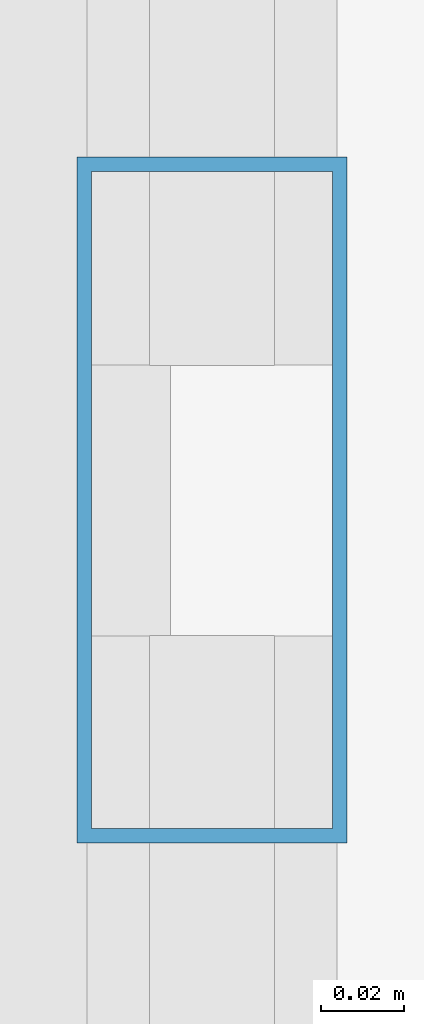
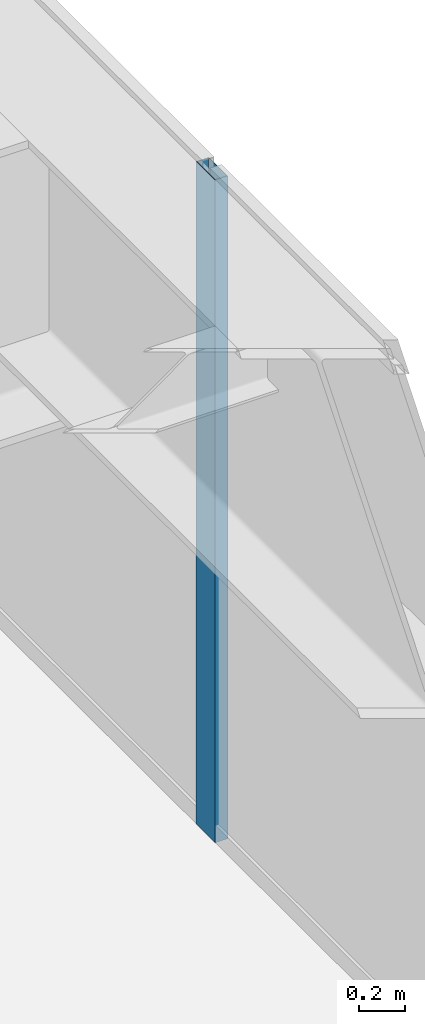
# One storey, part 17 of 26: 1 member, 1 element without a shape of its own.
"""IFC4 building model written with IfcOpenShell, lengths in metres."""

import ifcopenshell
import ifcopenshell.guid

model = None  # the IFC model being written
_history = None  # IfcOwnerHistory: only IFC2X3 demands one
_inside = {}  # id of a spatial element -> (the spatial element, [elements in it])
_under = {}  # id of a project, library or spatial element -> (it, [spatial elements below it])
_declared = {}  # id of a project -> (the project, [libraries it declares])
_typed = {}  # id of a type object -> (the type object, [elements of that type])
_made_of = {}  # id of a material, layer set ... -> (it, [elements and type objects made of it])


def new_model(schema):
    """Start an empty IFC model of exactly this schema.

    Asked for "IFC4X3", IfcOpenShell would pick the latest addendum, in which some entities
    have other attributes; the version numbers below select the first issue.
    IFC2X3 requires an IfcOwnerHistory on every rooted entity: one is made here for all.
    """
    global model, _history
    if schema == "IFC4X3":
        model = ifcopenshell.file(schema_version=(4, 3, 0, 0))
    else:
        model = ifcopenshell.file(schema=schema)
    _inside.clear()
    _under.clear()
    _declared.clear()
    _typed.clear()
    _made_of.clear()
    _history = None
    if model.schema == "IFC2X3":
        org = make("IfcOrganization", Name="unknown")
        user = make(
            "IfcPersonAndOrganization",
            ThePerson=make("IfcPerson", FamilyName="unknown"),
            TheOrganization=org,
        )
        app = make(
            "IfcApplication",
            ApplicationDeveloper=org,
            Version="unknown",
            ApplicationFullName="unknown",
            ApplicationIdentifier="unknown",
        )
        _history = make(
            "IfcOwnerHistory",
            OwningUser=user,
            OwningApplication=app,
            ChangeAction="ADDED",
            CreationDate=0,
        )
    return model


def make(cls, **values):
    """One entity of the class cls with the attributes given. An attribute that is None is left unset."""
    return model.create_entity(
        cls, **{name: value for name, value in values.items() if value is not None}
    )


def rooted(cls, **values):
    """An entity with a GlobalId (a new one), such as an element, a storey or a relation."""
    return make(cls, GlobalId=ifcopenshell.guid.new(), OwnerHistory=_history, **values)


def si_unit(unit_type, name, prefix=None):
    """IfcSIUnit, for example si_unit("LENGTHUNIT", "METRE", prefix="MILLI")."""
    return make("IfcSIUnit", UnitType=unit_type, Prefix=prefix, Name=name)


def assignment(units):
    """IfcUnitAssignment: the units of a project."""
    return None if units is None else make("IfcUnitAssignment", Units=units)


def point(xyz):
    """IfcCartesianPoint."""
    return None if xyz is None else make("IfcCartesianPoint", Coordinates=xyz)


def direction(xyz):
    """IfcDirection."""
    return None if xyz is None else make("IfcDirection", DirectionRatios=xyz)


def frame(location, z_axis=None, x_axis=None):
    """IfcAxis2Placement3D, a coordinate frame: its origin and axes. An axis left out is left unset."""
    return make(
        "IfcAxis2Placement3D",
        Location=point(location),
        Axis=direction(z_axis),
        RefDirection=direction(x_axis),
    )


def frame_2d(location, x_axis=None):
    """IfcAxis2Placement2D, a coordinate frame in the plane: its origin and x axis."""
    return make(
        "IfcAxis2Placement2D", Location=point(location), RefDirection=direction(x_axis)
    )


def origin():
    """The frame at (0, 0, 0) with its axes left unset."""
    return frame((0.0, 0.0, 0.0))


def origin_2d():
    """The frame at (0, 0) in the plane with its x axis left unset."""
    return frame_2d((0.0, 0.0))


def place(relative_to, where):
    """IfcLocalPlacement: puts the frame where relative to a parent placement (None: the world)."""
    return make(
        "IfcLocalPlacement", PlacementRelTo=relative_to, RelativePlacement=where
    )


def context(
    kind, dimensions, precision=None, world=None, true_north=None, identifier=None
):
    """IfcGeometricRepresentationContext, for example the 3D "Model" context."""
    return make(
        "IfcGeometricRepresentationContext",
        ContextIdentifier=identifier,
        ContextType=kind,
        CoordinateSpaceDimension=dimensions,
        Precision=precision,
        WorldCoordinateSystem=world,
        TrueNorth=true_north,
    )


def subcontext(parent, identifier, kind, view, scale=None):
    """IfcGeometricRepresentationSubContext, for example "Body" below "Model"."""
    return make(
        "IfcGeometricRepresentationSubContext",
        ContextIdentifier=identifier,
        ContextType=kind,
        ParentContext=parent,
        TargetScale=scale,
        TargetView=view,
    )


def project(units=None, contexts=None):
    """IfcProject with its units and contexts."""
    return rooted(
        "IfcProject",
        Name="project",
        RepresentationContexts=contexts,
        UnitsInContext=assignment(units),
    )


def spatial(cls, under=None, at=None, **own):
    """A site, building, storey or space (cls), placed at a placement, below another one or the project."""
    s = rooted(cls, ObjectPlacement=at, **own)
    if under is not None:
        _under.setdefault(under.id(), (under, []))[1].append(s)
    return s


def profile(cls, at=None, kind="AREA", **sizes):
    """A parametric profile (cls). Its sizes go by their IFC names, for example OverallWidth=200.0."""
    return make(cls, ProfileType=kind, Position=at, **sizes)


def hollow_rectangle(**sizes):
    """IfcRectangleHollowProfileDef."""
    return profile("IfcRectangleHollowProfileDef", **sizes)


def extrude(swept, where, along, depth):
    """IfcExtrudedAreaSolid: the profile swept, set in the frame where, extruded along a direction by depth."""
    return make(
        "IfcExtrudedAreaSolid",
        SweptArea=swept,
        Position=where,
        ExtrudedDirection=direction(along),
        Depth=depth,
    )


def shape(context_of_items, identifier, shape_type, items):
    """IfcShapeRepresentation: the items that make up one representation, for example the "Body"."""
    return make(
        "IfcShapeRepresentation",
        ContextOfItems=context_of_items,
        RepresentationIdentifier=identifier,
        RepresentationType=shape_type,
        Items=items,
    )


def source(mapping_origin, context_of_items, identifier, shape_type, items):
    """IfcRepresentationMap: a shape defined once, which mapped items show again and again."""
    return make(
        "IfcRepresentationMap",
        MappingOrigin=mapping_origin,
        MappedRepresentation=shape(context_of_items, identifier, shape_type, items),
    )


def transform(
    local_origin,
    x_axis=None,
    y_axis=None,
    z_axis=None,
    scale=None,
    scale2=None,
    scale3=None,
    uniform=True,
):
    """IfcCartesianTransformationOperator3D, or its non-uniform kind. x_axis, y_axis, z_axis: its Axis1, 2, 3."""
    if uniform:
        return make(
            "IfcCartesianTransformationOperator3D",
            Axis1=direction(x_axis),
            Axis2=direction(y_axis),
            LocalOrigin=point(local_origin),
            Scale=scale,
            Axis3=direction(z_axis),
        )
    return make(
        "IfcCartesianTransformationOperator3DnonUniform",
        Axis1=direction(x_axis),
        Axis2=direction(y_axis),
        LocalOrigin=point(local_origin),
        Scale=scale,
        Axis3=direction(z_axis),
        Scale2=scale2,
        Scale3=scale3,
    )


def mapped(mapping_source, mapping_target):
    """IfcMappedItem: shows the shape of a source again, moved by a transform."""
    return make(
        "IfcMappedItem", MappingSource=mapping_source, MappingTarget=mapping_target
    )


def material(Name=None, Category=None):
    """IfcMaterial."""
    return make("IfcMaterial", Name=Name, Category=Category)


def layer(
    of_material, thickness, ventilated=None, Name=None, Category=None, Priority=None
):
    """IfcMaterialLayer: one layer of a wall or slab, of a material (None: an air gap)."""
    return make(
        "IfcMaterialLayer",
        Material=of_material,
        LayerThickness=thickness,
        IsVentilated=ventilated,
        Name=Name,
        Category=Category,
        Priority=Priority,
    )


def layer_set(layers, Name=None):
    """IfcMaterialLayerSet."""
    return make("IfcMaterialLayerSet", MaterialLayers=layers, LayerSetName=Name)


def material_profile(
    of_material, cross_section, Name=None, Category=None, Priority=None
):
    """IfcMaterialProfile: a cross section and its material."""
    return make(
        "IfcMaterialProfile",
        Name=Name,
        Material=of_material,
        Profile=cross_section,
        Priority=Priority,
        Category=Category,
    )


def profile_set(profiles, Name=None, composite=None):
    """IfcMaterialProfileSet."""
    return make(
        "IfcMaterialProfileSet",
        Name=Name,
        MaterialProfiles=profiles,
        CompositeProfile=composite,
    )


def made_of(thing, what):
    """Note that an element or type object is made of a material, layer set ...; save() writes the relation."""
    if what is not None:
        _made_of.setdefault(what.id(), (what, []))[1].append(thing)
    return thing


def type_object(cls, material=None, **own):
    """A type object (cls), such as IfcWallType, which elements share."""
    return made_of(rooted(cls, **own), material)


def type_shapes(of_type, sources):
    """Give a type object the sources (RepresentationMaps) that its elements show as mapped items."""
    of_type.RepresentationMaps = sources


def element(
    cls,
    number,
    at=None,
    inside=None,
    cuts=None,
    type_object=None,
    material=None,
    context=None,
    identifier="Body",
    shape_type=None,
    held_by="IfcProductDefinitionShape",
    body=None,
    shapes=None,
    **own,
):
    """One element of the class cls, such as IfcWall. Its Tag is "e" and its number.

    at: its placement. inside: the storey or other place that contains it. cuts: it is an
    opening in that element (IfcRelVoidsElement). A single representation is given by context,
    identifier, shape_type and body (its items); several are given by shapes. held_by: the class
    of the entity that holds the representations. save() writes the other relations.
    """
    e = rooted(cls, Tag="e%d" % number, ObjectPlacement=at, **own)
    if body is not None:
        shapes = [shape(context, identifier, shape_type, body)]
    if shapes is not None:
        e.Representation = make(held_by, Representations=shapes)
    if inside is not None:
        _inside.setdefault(inside.id(), (inside, []))[1].append(e)
    if cuts is not None:
        rooted(
            "IfcRelVoidsElement", RelatingBuildingElement=cuts, RelatedOpeningElement=e
        )
    if type_object is not None:
        _typed.setdefault(type_object.id(), (type_object, []))[1].append(e)
    return made_of(e, material)


def aggregate(whole, parts):
    """IfcRelAggregates: a whole, such as a stair, and the parts it consists of."""
    return rooted("IfcRelAggregates", RelatingObject=whole, RelatedObjects=parts)


def save(model, path):
    """Write the relations noted so far, then the file.

    IfcRelAggregates (storeys below a building ...), IfcRelContainedInSpatialStructure (elements
    in a storey), IfcRelDefinesByType, IfcRelAssociatesMaterial and IfcRelDeclares: one each for
    every whole, place, type object, material and project.
    """
    for whole, parts in _under.values():
        aggregate(whole, parts)
    for where, things in _inside.values():
        rooted(
            "IfcRelContainedInSpatialStructure",
            RelatedElements=things,
            RelatingStructure=where,
        )
    for kind, things in _typed.values():
        rooted("IfcRelDefinesByType", RelatedObjects=things, RelatingType=kind)
    for what, things in _made_of.values():
        rooted("IfcRelAssociatesMaterial", RelatedObjects=things, RelatingMaterial=what)
    for by, libraries in _declared.values():
        rooted("IfcRelDeclares", RelatingContext=by, RelatedDefinitions=libraries)
    model.write(path)


model = new_model("IFC4")

# Units and contexts
model_context = context("Model", 3, precision=1e-05, world=origin(), true_north=direction((0.0, 1.0)))
body_context = subcontext(model_context, "Body", "Model", "MODEL_VIEW")
ifc_project = project(units=[si_unit("LENGTHUNIT", "METRE"), si_unit("AREAUNIT", "SQUARE_METRE"), si_unit("VOLUMEUNIT", "CUBIC_METRE"), si_unit("PLANEANGLEUNIT", "RADIAN"), si_unit("MASSUNIT", "GRAM", prefix="KILO")], contexts=[model_context])

# Site, building, storey
site_placement = place(None, origin())
site = spatial("IfcSite", under=ifc_project, at=site_placement, CompositionType="ELEMENT")
building_placement = place(site_placement, origin())
building = spatial("IfcBuilding", under=site, at=building_placement, Name="Varnel Quay Broadcast Tower", CompositionType="ELEMENT")
storey_placement = place(building_placement, frame((0.0, 0.0, 196.0)))
storey = spatial("IfcBuildingStorey", under=building, at=storey_placement, Name="L48", CompositionType="ELEMENT", Elevation=196.0)

# Curtain wall, member
ifc_material = material(Name="Anodised Bronze Aluminium 6063-T6", Category="aluminium")
ifc_layer = layer(ifc_material, 0.18994140625, Name="Anodised Bronze Aluminium 6063-T6")
ifc_layer_set = layer_set([ifc_layer], Name="Anodised Bronze Aluminium 6063-T6")
curtain_wall_type = type_object("IfcCurtainWallType", Name="CW_UpperTower", PredefinedType="NOTDEFINED", material=ifc_layer_set)
curtain_wall_placement = place(storey_placement, origin())
curtain_wall = element("IfcCurtainWall", 1, at=curtain_wall_placement, inside=storey, type_object=curtain_wall_type, Name="L48 East Unitised Curtain Wall", PredefinedType="NOTDEFINED")
ifc_material_profile = material_profile(ifc_material, hollow_rectangle(XDim=0.06494140625, YDim=0.1650390625, WallThickness=0.00341796875, at=origin_2d()), Name="ALU65X165X3.5")
ifc_profile_set = profile_set([ifc_material_profile], Name="Anodised Bronze Aluminium 6063-T6")
member_type = type_object("IfcMemberType", Name="Mull_CWS-03", PredefinedType="MULLION", material=ifc_profile_set)
shared_shape = source(origin(), body_context, "Body", "SweptSolid", [
    extrude(hollow_rectangle(XDim=0.06494140625, YDim=0.1650390625, WallThickness=0.00341796875, at=origin_2d()), origin(), (0.0, 0.0, 1.0), 3.550048828125),
])
type_shapes(member_type, [shared_shape])
member_placement = place(storey_placement, frame((60.85009765625, 21.60009765625, 0.0), z_axis=(0.0, 0.0, 1.0), x_axis=(-1.0, 0.0, 0.0)))
member = element("IfcMember", 2, at=member_placement, type_object=member_type, Name="CWS-03 mullion 2", PredefinedType="MULLION", context=body_context, shape_type="MappedRepresentation", body=[
    mapped(shared_shape, transform((0.0, 0.0, 0.0), x_axis=(1.0, 0.0, 0.0), y_axis=(0.0, 1.0, 0.0), z_axis=(0.0, 0.0, 1.0), scale=1.0)),
])
aggregate(curtain_wall, [member])

save(model, "model.ifc")
